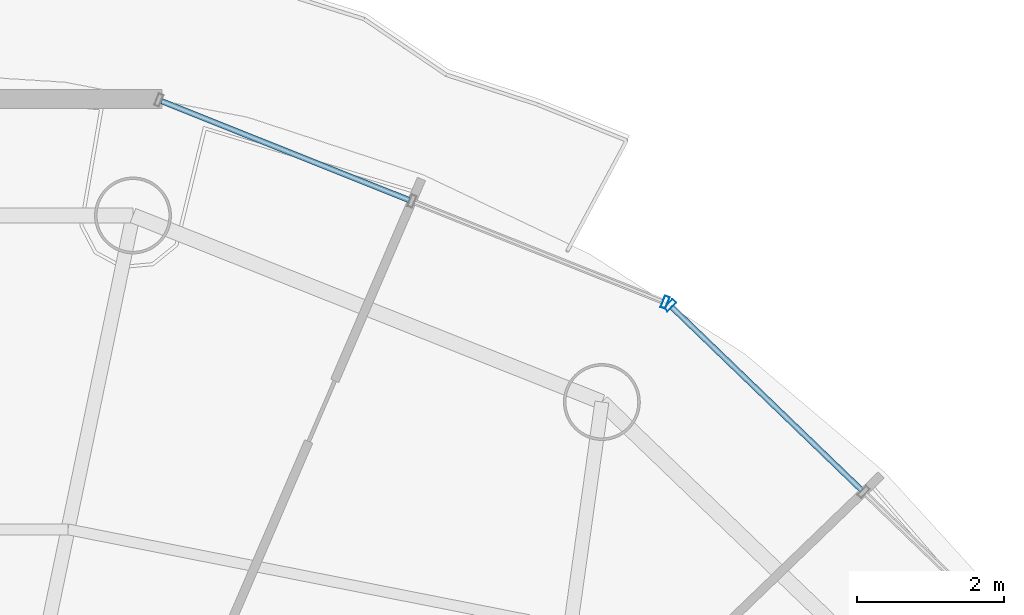
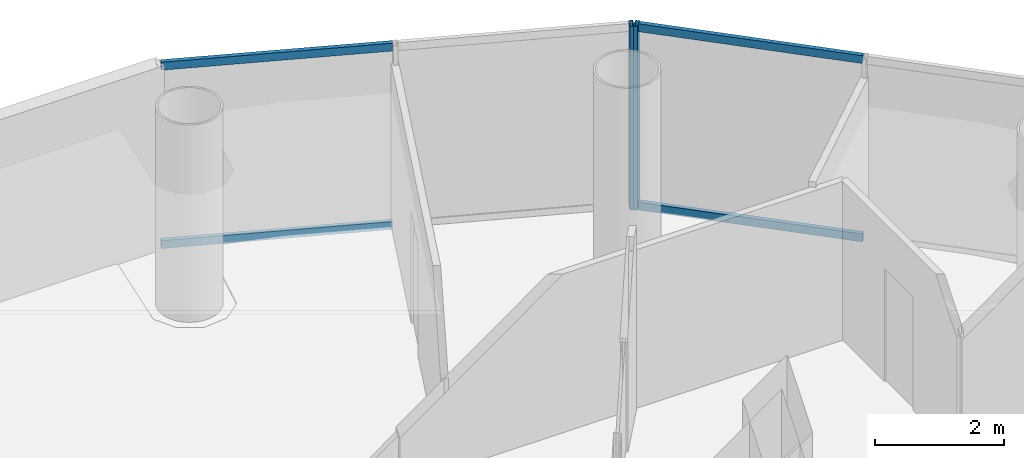
# One storey, part 15 of 23: 6 members, 2 elements without a shape of their own.
"""IFC4 building model written with IfcOpenShell, lengths in metres."""

from ifc_helpers import new_model, si_unit, direction, frame, origin, origin_2d, place, context, subcontext, project, spatial, hollow_rectangle, extrude, source, transform, mapped, material, material_profile, profile_set, type_object, element, aggregate, save


model = new_model("IFC4")

# Units and contexts
model_context = context("Model", 3, precision=1e-05, world=origin(), true_north=direction((-0.2419218956, 0.970295726276)))
body_context = subcontext(model_context, "Body", "Model", "MODEL_VIEW")
ifc_project = project(units=[si_unit("LENGTHUNIT", "METRE"), si_unit("AREAUNIT", "SQUARE_METRE"), si_unit("VOLUMEUNIT", "CUBIC_METRE"), si_unit("PLANEANGLEUNIT", "RADIAN"), si_unit("MASSUNIT", "GRAM", prefix="KILO")], contexts=[model_context])

# Site, building, storey
site_placement = place(None, origin())
site = spatial("IfcSite", under=ifc_project, at=site_placement, CompositionType="ELEMENT")
building_placement = place(site_placement, origin())
building = spatial("IfcBuilding", under=site, at=building_placement, Name="Cobrevalo Terracotta Tower", CompositionType="ELEMENT")
storey_placement = place(building_placement, frame((0.0, 0.0, 259.449951171875)))
storey = spatial("IfcBuildingStorey", under=building, at=storey_placement, Name="L68", CompositionType="ELEMENT", Elevation=259.449951171875)

# Curtain wall, member
ifc_material = material(Name="Anodized aluminium", Category="aluminium")
curtain_wall_type = type_object("IfcCurtainWallType", Name="Upper-tower triple-glazed penthouse curtain wall CW-U3", PredefinedType="NOTDEFINED", material=ifc_material)
curtain_wall_1_placement = place(storey_placement, origin())
curtain_wall_1 = element("IfcCurtainWall", 1, at=curtain_wall_1_placement, inside=storey, type_object=curtain_wall_type, Name="L68 curtain wall CW-L68-S02", PredefinedType="NOTDEFINED")
ifc_material_profile_1 = material_profile(ifc_material, hollow_rectangle(XDim=0.070068359375, YDim=0.169921875, WallThickness=0.00439453125, at=origin_2d()), Name="CWM 70x170")
ifc_profile_set_1 = profile_set([ifc_material_profile_1], Name="Anodized aluminium")
member_type_1 = type_object("IfcMemberType", Name="Upper tower unitised mullion 70x170", PredefinedType="MULLION", material=ifc_profile_set_1)
shared_shape_1 = source(origin(), body_context, "Body", "SweptSolid", [
    extrude(hollow_rectangle(XDim=0.070068359375, YDim=0.169921875, WallThickness=0.00439453125, at=origin_2d()), origin(), (0.0, 0.0, 1.0), 3.489990234375),
])
member_1_placement = place(storey_placement, frame((48.790283203125, 42.2958984375, 0.0), z_axis=(0.0, 0.0, 1.0), x_axis=(-0.71999418085, 0.69398010025, 0.0)))
member_1 = element("IfcMember", 2, at=member_1_placement, type_object=member_type_1, Name="CW-L68-S02 vertical mullion 03", PredefinedType="MULLION", context=body_context, shape_type="MappedRepresentation", body=[
    mapped(shared_shape_1, transform((0.0, 0.0, 0.0), scale=1.0)),
])

curtain_wall_2_placement = place(storey_placement, origin())
curtain_wall_2 = element("IfcCurtainWall", 3, at=curtain_wall_2_placement, inside=storey, type_object=curtain_wall_type, Name="L68 curtain wall CW-L68-S03", PredefinedType="NOTDEFINED")
member_2_placement = place(storey_placement, frame((48.724365234375, 42.33837890625, 0.0), z_axis=(0.0, 0.0, 1.0), x_axis=(-0.928718980883, 0.370784377433, 0.0)))
member_2 = element("IfcMember", 4, at=member_2_placement, type_object=member_type_1, Name="CW-L68-S03 vertical mullion 01", PredefinedType="MULLION", context=body_context, shape_type="MappedRepresentation", body=[
    mapped(shared_shape_1, transform((0.0, 0.0, 0.0), scale=1.0)),
])

# Member
ifc_material_profile_2 = material_profile(ifc_material, hollow_rectangle(XDim=0.074951171875, YDim=0.14990234375, WallThickness=0.00439453125, at=origin_2d()), Name="CWT 75x150")
ifc_profile_set_2 = profile_set([ifc_material_profile_2], Name="Anodized aluminium")
member_type_2 = type_object("IfcMemberType", Name="Tower unitised aluminium transom 75x150", PredefinedType="USERDEFINED", material=ifc_profile_set_2)
shared_shape_2 = source(origin(), body_context, "Body", "SweptSolid", [
    extrude(hollow_rectangle(XDim=0.074951171875, YDim=0.14990234375, WallThickness=0.00439453125, at=origin_2d()), origin(), (0.0, 0.0, 1.0), 3.59130859375),
])
member_3_placement = place(storey_placement, frame((51.40478515625, 39.77587890625, 0.050048828125), z_axis=(-0.720005628362, 0.693968223427, 0.0), x_axis=(-0.693968223427, -0.720005628362, 0.0)))
member_3 = element("IfcMember", 5, at=member_3_placement, type_object=member_type_2, Name="CW-L68-S02 transom B02-T1", ObjectType="TRANSOM", PredefinedType="USERDEFINED", context=body_context, shape_type="MappedRepresentation", body=[
    mapped(shared_shape_2, transform((0.0, 0.0, 0.0), scale=1.0)),
])

member_4_placement = place(storey_placement, frame((51.40478515625, 39.77587890625, 3.43994140625), z_axis=(-0.720005628362, 0.693968223427, 0.0), x_axis=(-0.693968223427, -0.720005628362, 0.0)))
member_4 = element("IfcMember", 6, at=member_4_placement, type_object=member_type_2, Name="CW-L68-S02 transom B02-T2", ObjectType="TRANSOM", PredefinedType="USERDEFINED", context=body_context, shape_type="MappedRepresentation", body=[
    mapped(shared_shape_2, transform((0.0, 0.0, 0.0), scale=1.0)),
])

aggregate(curtain_wall_1, [member_1, member_3, member_4])

shared_shape_3 = source(origin(), body_context, "Body", "SweptSolid", [
    extrude(hollow_rectangle(XDim=0.074951171875, YDim=0.14990234375, WallThickness=0.00439453125, at=origin_2d()), origin(), (0.0, 0.0, 1.0), 3.63916015625),
])
member_5_placement = place(storey_placement, frame((45.23291015625, 43.732177734375, 0.050048828125), z_axis=(-0.928712471544, 0.370800681227, 0.0), x_axis=(-0.370800681227, -0.928712471544, 0.0)))
member_5 = element("IfcMember", 7, at=member_5_placement, type_object=member_type_2, Name="CW-L68-S03 transom B02-T1", ObjectType="TRANSOM", PredefinedType="USERDEFINED", context=body_context, shape_type="MappedRepresentation", body=[
    mapped(shared_shape_3, transform((0.0, 0.0, 0.0), scale=1.0)),
])

member_6_placement = place(storey_placement, frame((45.23291015625, 43.732177734375, 3.43994140625), z_axis=(-0.928712471544, 0.370800681227, 0.0), x_axis=(-0.370800681227, -0.928712471544, 0.0)))
member_6 = element("IfcMember", 8, at=member_6_placement, type_object=member_type_2, Name="CW-L68-S03 transom B02-T2", ObjectType="TRANSOM", PredefinedType="USERDEFINED", context=body_context, shape_type="MappedRepresentation", body=[
    mapped(shared_shape_3, transform((0.0, 0.0, 0.0), scale=1.0)),
])

aggregate(curtain_wall_2, [member_2, member_5, member_6])

save(model, "model.ifc")
